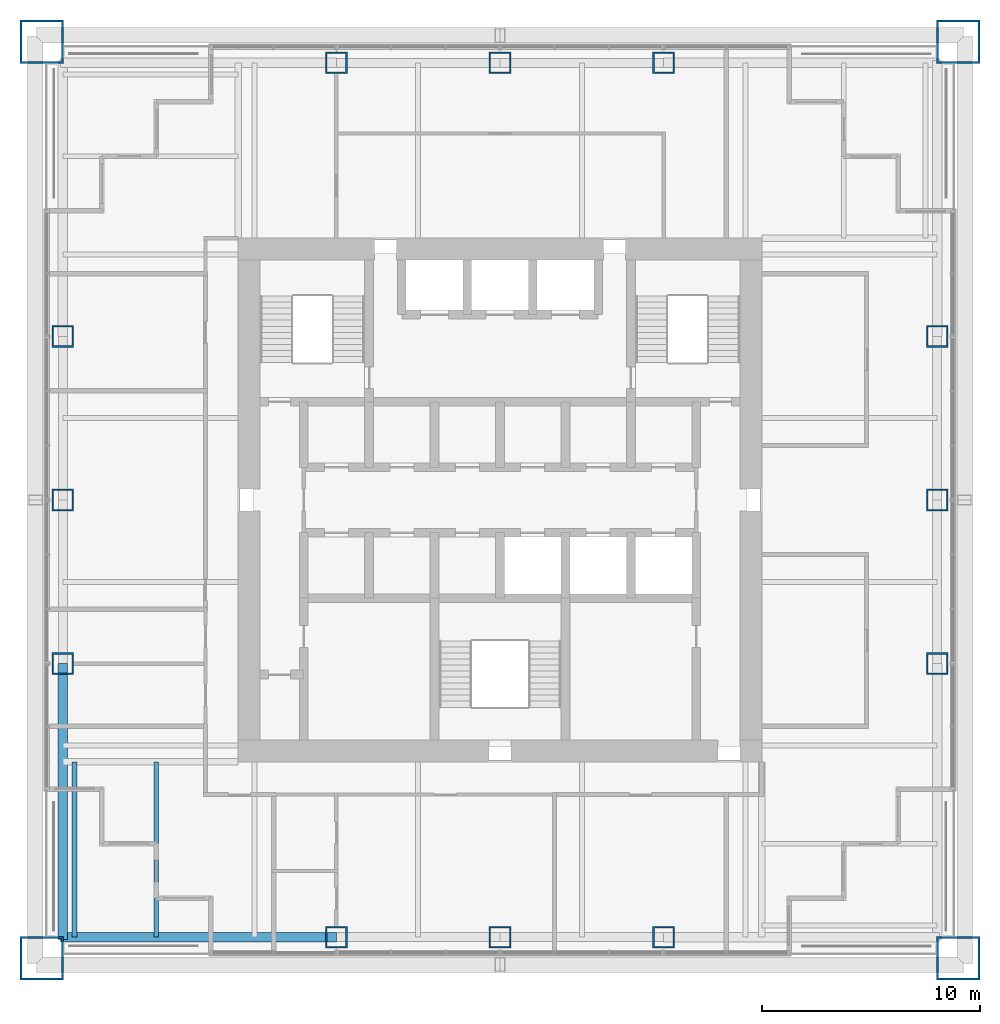
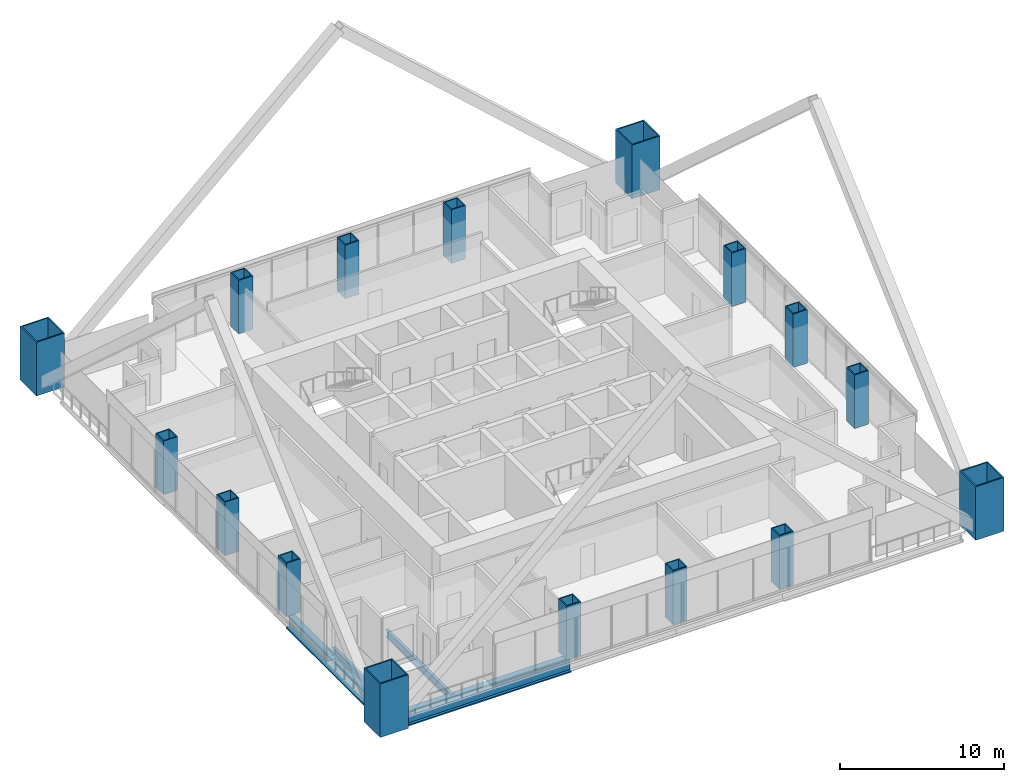
# One storey, part 1 of 13: 16 columns, 4 beams.
"""IFC4 building model written with IfcOpenShell, lengths in metres."""

from ifc_helpers import new_model, si_unit, direction, frame, origin, origin_2d, place, context, subcontext, project, spatial, hollow_rectangle, i_section, extrude, material, material_profile, profile_set, type_object, element, save


model = new_model("IFC4")

# Units and contexts
model_context = context("Model", 3, precision=1e-05, world=origin(), true_north=direction((0.0, 1.0)))
body_context = subcontext(model_context, "Body", "Model", "MODEL_VIEW")
ifc_project = project(units=[si_unit("LENGTHUNIT", "METRE"), si_unit("AREAUNIT", "SQUARE_METRE"), si_unit("VOLUMEUNIT", "CUBIC_METRE"), si_unit("PLANEANGLEUNIT", "RADIAN"), si_unit("MASSUNIT", "GRAM", prefix="KILO")], contexts=[model_context])

# Site, building, storey
site_placement = place(None, origin())
site = spatial("IfcSite", under=ifc_project, at=site_placement, CompositionType="ELEMENT")
building_placement = place(site_placement, origin())
building = spatial("IfcBuilding", under=site, at=building_placement, Name="Tarangal Relay Tower", CompositionType="ELEMENT")
storey_placement = place(building_placement, frame((0.0, 0.0, 259.89990234375)))
storey = spatial("IfcBuildingStorey", under=building, at=storey_placement, Name="L56", CompositionType="ELEMENT", Elevation=259.89990234375)

# Columns
ifc_material_1 = material(Name="Steel ASTM A572 Grade 50", Category="steel")
ifc_material_profile_1 = material_profile(ifc_material_1, hollow_rectangle(XDim=2.0, YDim=2.0, WallThickness=0.094970703125, at=origin_2d()), Name="BOX2000X2000X95")
ifc_profile_set_1 = profile_set([ifc_material_profile_1], Name="Steel ASTM A572 Grade 50")
column_type_1 = type_object("IfcColumnType", Name="Mega column BOX2000X2000X95", PredefinedType="COLUMN", material=ifc_profile_set_1)
for number, where, z_axis, x_axis, name in (
    (1, (21.0, 21.0, 0.0), (0.0, 0.0, 1.0), (1.0, 0.0, 0.0), "Mega column MC4 NE L56"),
    (2, (21.0, -21.0, 0.0), (0.0, 0.0, 1.0), (1.0, 0.0, 0.0), "Mega column MC4 SE L56"),
    (3, (-21.0, -21.0, 0.0), (0.0, 0.0, 1.0), (1.0, 0.0, 0.0), "Mega column MC4 SW L56"),
    (4, (-21.0, 21.0, 0.0), (0.0, 0.0, 1.0), (1.0, 0.0, 0.0), "Mega column MC4 NW L56"),
):
    element("IfcColumn", number, at=place(storey_placement, frame(where, z_axis=z_axis, x_axis=x_axis)), inside=storey, type_object=column_type_1, Name=name, PredefinedType="COLUMN", context=body_context, shape_type="SweptSolid", body=[
        extrude(hollow_rectangle(XDim=2.0, YDim=2.0, WallThickness=0.094970703125, at=origin_2d()), origin(), (0.0, 0.0, 1.0), 4.0),
    ])
ifc_material_profile_2 = material_profile(ifc_material_1, hollow_rectangle(XDim=1.0, YDim=1.0, WallThickness=0.074951171875, at=origin_2d()), Name="BOX1000X1000X75")
ifc_profile_set_2 = profile_set([ifc_material_profile_2], Name="Steel ASTM A572 Grade 50")
column_type_2 = type_object("IfcColumnType", Name="Perimeter column BOX1000X1000X75", PredefinedType="COLUMN", material=ifc_profile_set_2)
for number, where, z_axis, x_axis, name in (
    (5, (-7.5, 20.0400390625, 0.0), (0.0, 0.0, 1.0), (1.0, 0.0, 0.0), "Perimeter column PC5 N L56"),
    (6, (0.0, 20.0400390625, 0.0), (0.0, 0.0, 1.0), (1.0, 0.0, 0.0), "Perimeter column PC5 N L56"),
    (7, (7.5, 20.0400390625, 0.0), (0.0, 0.0, 1.0), (1.0, 0.0, 0.0), "Perimeter column PC5 N L56"),
    (8, (20.0400390625, 7.5, 0.0), (0.0, 0.0, 1.0), (1.0, 0.0, 0.0), "Perimeter column PC5 E L56"),
    (9, (20.0400390625, 0.0, 0.0), (0.0, 0.0, 1.0), (1.0, 0.0, 0.0), "Perimeter column PC5 E L56"),
    (10, (20.0400390625, -7.5, 0.0), (0.0, 0.0, 1.0), (1.0, 0.0, 0.0), "Perimeter column PC5 E L56"),
    (11, (7.5, -20.0400390625, 0.0), (0.0, 0.0, 1.0), (1.0, 0.0, 0.0), "Perimeter column PC5 S L56"),
    (12, (0.0, -20.0400390625, 0.0), (0.0, 0.0, 1.0), (1.0, 0.0, 0.0), "Perimeter column PC5 S L56"),
    (13, (-7.5, -20.0400390625, 0.0), (0.0, 0.0, 1.0), (1.0, 0.0, 0.0), "Perimeter column PC5 S L56"),
    (14, (-20.0400390625, -7.5, 0.0), (0.0, 0.0, 1.0), (1.0, 0.0, 0.0), "Perimeter column PC5 W L56"),
    (15, (-20.0400390625, 0.0, 0.0), (0.0, 0.0, 1.0), (1.0, 0.0, 0.0), "Perimeter column PC5 W L56"),
    (16, (-20.0400390625, 7.5, 0.0), (0.0, 0.0, 1.0), (1.0, 0.0, 0.0), "Perimeter column PC5 W L56"),
):
    element("IfcColumn", number, at=place(storey_placement, frame(where, z_axis=z_axis, x_axis=x_axis)), inside=storey, type_object=column_type_2, Name=name, PredefinedType="COLUMN", context=body_context, shape_type="SweptSolid", body=[
        extrude(hollow_rectangle(XDim=1.0, YDim=1.0, WallThickness=0.074951171875, at=origin_2d()), origin(), (0.0, 0.0, 1.0), 4.0),
    ])

# Beams
ifc_material_2 = material(Name="Steel ASTM A992", Category="steel")
ifc_material_profile_3 = material_profile(ifc_material_2, i_section(OverallWidth=0.21240234375, OverallDepth=0.543701171875, WebThickness=0.01318359375, FlangeThickness=0.021240234375, at=origin_2d()), Name="W21X83")
ifc_profile_set_3 = profile_set([ifc_material_profile_3], Name="Steel ASTM A992")
beam_type_1 = type_object("IfcBeamType", Name="Corner beam W21X83", PredefinedType="JOIST", material=ifc_profile_set_3)
for number, where, z_axis, x_axis, name in (
    (17, (-15.75, -12.0, -0.421630859375), (0.0, -1.0, 0.0), (1.0, 0.0, 0.0), "Corner beam CB15 S L56"),
    (18, (-19.5, -12.0, -0.421630859375), (0.0, -1.0, 0.0), (1.0, 0.0, 0.0), "Corner beam CB15 S L56"),
):
    element("IfcBeam", number, at=place(storey_placement, frame(where, z_axis=z_axis, x_axis=x_axis)), inside=storey, type_object=beam_type_1, Name=name, PredefinedType="JOIST", context=body_context, shape_type="SweptSolid", body=[
        extrude(i_section(OverallWidth=0.21240234375, OverallDepth=0.543701171875, WebThickness=0.01318359375, FlangeThickness=0.021240234375, at=origin_2d()), origin(), (0.0, 0.0, 1.0), 8.0400390625),
    ])
ifc_material_profile_4 = material_profile(ifc_material_2, i_section(OverallWidth=0.42919921875, OverallDepth=1.107421875, WebThickness=0.050048828125, FlangeThickness=0.08984375, at=origin_2d()), Name="W40X655")
ifc_profile_set_4 = profile_set([ifc_material_profile_4], Name="Steel ASTM A992")
beam_type_2 = type_object("IfcBeamType", Name="Edge girder W40X655", PredefinedType="SPANDREL", material=ifc_profile_set_4)
for number, where, z_axis, x_axis, name in (
    (19, (-7.5, -20.0400390625, -0.70361328125), (-1.0, 0.0, 0.0), (0.0, -1.0, 0.0), "Edge girder EG10 S L56"),
    (20, (-20.0400390625, -20.14990234375, -0.70361328125), (0.0, 1.0, 0.0), (-1.0, 0.0, 0.0), "Edge girder EG10 W L56"),
):
    element("IfcBeam", number, at=place(storey_placement, frame(where, z_axis=z_axis, x_axis=x_axis)), inside=storey, type_object=beam_type_2, Name=name, PredefinedType="SPANDREL", context=body_context, shape_type="SweptSolid", body=[
        extrude(i_section(OverallWidth=0.42919921875, OverallDepth=1.107421875, WebThickness=0.050048828125, FlangeThickness=0.08984375, at=origin_2d()), origin(), (0.0, 0.0, 1.0), 12.64990234375),
    ])

save(model, "model.ifc")
